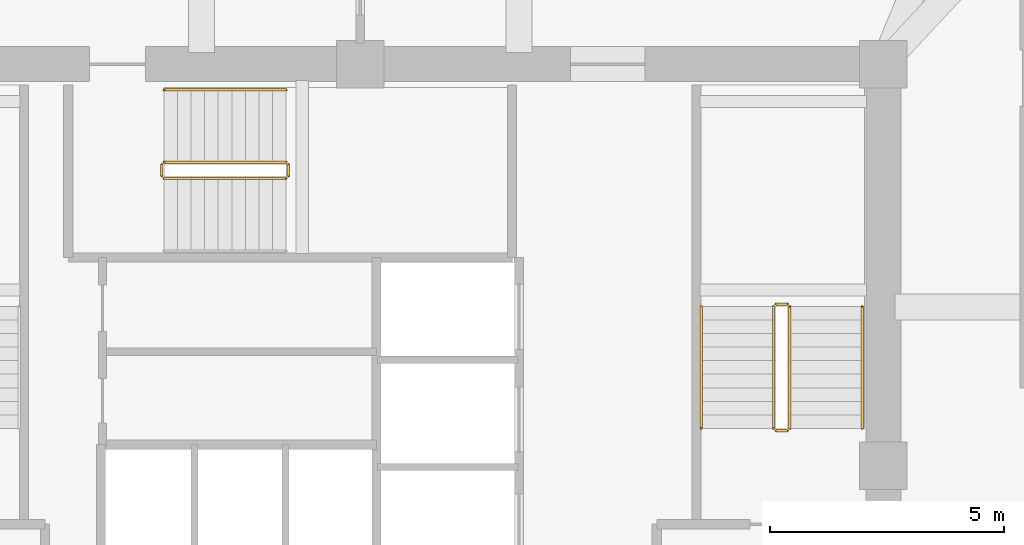
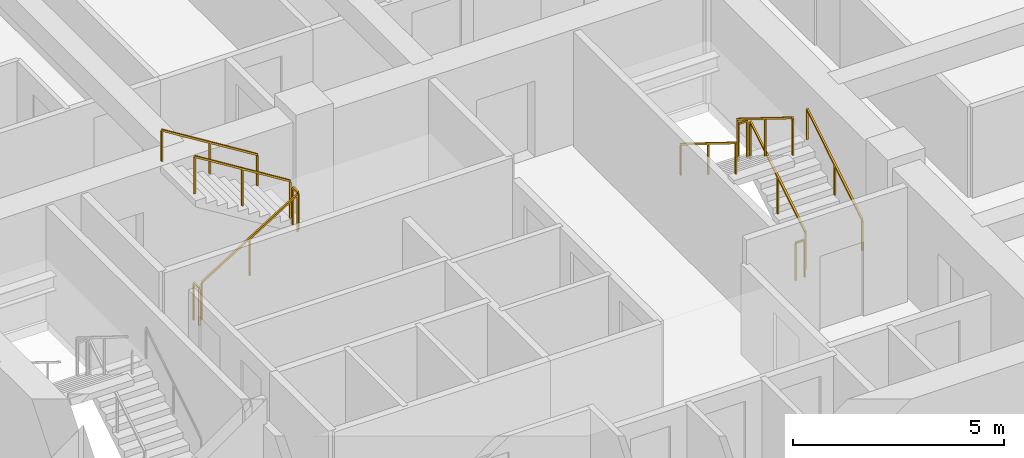
# One storey, part 12 of 12: 11 railings.
"""IFC4 building model written with IfcOpenShell, lengths in metres."""

from ifc_helpers import new_model, si_unit, derived_unit, direction, frame, origin, origin_2d, place, context, subcontext, project, spatial, rectangle, extrude, material, type_object, element, save


model = new_model("IFC4")

# Units and contexts
model_context = context("Model", 3, precision=1e-05, world=origin(), true_north=direction((0.0, 1.0)))
body_context = subcontext(model_context, "Body", "Model", "MODEL_VIEW")
ifc_project = project(units=[si_unit("LENGTHUNIT", "METRE"), si_unit("AREAUNIT", "SQUARE_METRE"), si_unit("VOLUMEUNIT", "CUBIC_METRE"), si_unit("PLANEANGLEUNIT", "RADIAN"), si_unit("MASSUNIT", "GRAM", prefix="KILO"), derived_unit("THERMALTRANSMITTANCEUNIT", [(si_unit("POWERUNIT", "WATT"), 1), (si_unit("LENGTHUNIT", "METRE"), -2), (si_unit("THERMODYNAMICTEMPERATUREUNIT", "KELVIN"), -1)])], contexts=[model_context])

# Site, building, storey
site_placement = place(None, origin())
site = spatial("IfcSite", under=ifc_project, at=site_placement, CompositionType="ELEMENT")
building_placement = place(site_placement, origin())
building = spatial("IfcBuilding", under=site, at=building_placement, Name="Koralith Skygarden Medical Center", CompositionType="ELEMENT")
storey_placement = place(building_placement, frame((0.0, 0.0, 134.820068359375)))
storey = spatial("IfcBuildingStorey", under=building, at=storey_placement, Name="L34", CompositionType="ELEMENT", Elevation=134.820068359375)

# Railings
ifc_material = material(Name="Steel ASTM A500 Grade C", Category="steel")
railing_type_1 = type_object("IfcRailingType", Name="Stair Flight Tubular Handrail 920", PredefinedType="HANDRAIL", material=ifc_material)
railing_1_placement = place(storey_placement, frame((47.75, 26.699951171875, 0.179931640625)))
element("IfcRailing", 1, at=railing_1_placement, inside=storey, type_object=railing_type_1, Name="L34 ST2 stair handrail 1", PredefinedType="HANDRAIL", context=body_context, shape_type="SweptSolid", body=[
    extrude(rectangle(XDim=0.050048828125, YDim=0.050048828125, at=origin_2d()), frame((0.0, 0.001708984375, 0.89599609375), z_axis=(0.0, 0.849632798774, 0.527374731332), x_axis=(-1.0, 0.0, 0.0)), (0.0, 0.0, 1.0), 3.068115234375),
    extrude(rectangle(XDim=0.0419921875, YDim=0.0419921875, at=origin_2d()), origin(), (0.0, 0.0, 1.0), 0.867919921875),
    extrude(rectangle(XDim=0.0419921875, YDim=0.0419921875, at=origin_2d()), frame((0.0, 1.30517578125, 0.81005859375)), (0.0, 0.0, 1.0), 0.867919921875),
    extrude(rectangle(XDim=0.0419921875, YDim=0.0419921875, at=origin_2d()), frame((0.0, 2.610107421875, 1.6201171875)), (0.0, 0.0, 1.0), 0.867919921875),
])
railing_2_placement = place(storey_placement, frame((44.300048828125, 29.31005859375, 1.97998046875)))
element("IfcRailing", 2, at=railing_2_placement, inside=storey, type_object=railing_type_1, Name="L34 ST2 stair handrail 2", PredefinedType="HANDRAIL", context=body_context, shape_type="SweptSolid", body=[
    extrude(rectangle(XDim=0.050048828125, YDim=0.050048828125, at=origin_2d()), frame((0.0, -0.001708984375, 0.89599609375), z_axis=(0.0, -0.849668407637, 0.527317358963), x_axis=(1.0, 0.0, 0.0)), (0.0, 0.0, 1.0), 3.06787109375),
    extrude(rectangle(XDim=0.0419921875, YDim=0.0419921875, at=origin_2d()), origin(), (0.0, 0.0, 1.0), 0.867919921875),
    extrude(rectangle(XDim=0.0419921875, YDim=0.0419921875, at=origin_2d()), frame((0.0, -1.30517578125, 0.81005859375)), (0.0, 0.0, 1.0), 0.867919921875),
    extrude(rectangle(XDim=0.0419921875, YDim=0.0419921875, at=origin_2d()), frame((0.0, -2.610107421875, 1.619873046875)), (0.0, 0.0, 1.0), 0.867919921875),
])
railing_3_placement = place(storey_placement, frame((35.409912109375, 33.949951171875, 1.97998046875)))
element("IfcRailing", 3, at=railing_3_placement, inside=storey, type_object=railing_type_1, Name="L34 ST3 stair handrail 2", PredefinedType="HANDRAIL", context=body_context, shape_type="SweptSolid", body=[
    extrude(rectangle(XDim=0.050048828125, YDim=0.050048828125, at=origin_2d()), frame((-0.001708984375, 0.0, 0.89599609375), z_axis=(-0.849646306263, 0.0, 0.527352969322), x_axis=(0.0, -1.0, 0.0)), (0.0, 0.0, 1.0), 3.067626953125),
    extrude(rectangle(XDim=0.0419921875, YDim=0.0419921875, at=origin_2d()), origin(), (0.0, 0.0, 1.0), 0.867919921875),
    extrude(rectangle(XDim=0.0419921875, YDim=0.0419921875, at=origin_2d()), frame((-1.304931640625, 0.0, 0.81005859375)), (0.0, 0.0, 1.0), 0.867919921875),
    extrude(rectangle(XDim=0.0419921875, YDim=0.0419921875, at=origin_2d()), frame((-2.60986328125, 0.0, 1.619873046875)), (0.0, 0.0, 1.0), 0.867919921875),
])
railing_type_2 = type_object("IfcRailingType", Name="Stair Well Safety Guardrail 1100", PredefinedType="GUARDRAIL", material=ifc_material)
railing_4_placement = place(storey_placement, frame((46.199951171875, 26.699951171875, 0.179931640625)))
element("IfcRailing", 4, at=railing_4_placement, inside=storey, type_object=railing_type_2, Name="L34 ST2 stair guard 1", PredefinedType="GUARDRAIL", context=body_context, shape_type="SweptSolid", body=[
    extrude(rectangle(XDim=0.050048828125, YDim=0.050048828125, at=origin_2d()), frame((0.0, 0.001708984375, 1.076171875), z_axis=(0.0, 0.849632798774, 0.527374731332), x_axis=(-1.0, 0.0, 0.0)), (0.0, 0.0, 1.0), 3.068115234375),
    extrude(rectangle(XDim=0.0419921875, YDim=0.0419921875, at=origin_2d()), origin(), (0.0, 0.0, 1.0), 1.048095703125),
    extrude(rectangle(XDim=0.0419921875, YDim=0.0419921875, at=origin_2d()), frame((0.0, 1.30517578125, 0.81005859375)), (0.0, 0.0, 1.0), 1.048095703125),
    extrude(rectangle(XDim=0.0419921875, YDim=0.0419921875, at=origin_2d()), frame((0.0, 2.610107421875, 1.6201171875)), (0.0, 0.0, 1.0), 1.048095703125),
])
railing_5_placement = place(storey_placement, frame((46.14990234375, 29.360107421875, 1.800048828125)))
element("IfcRailing", 5, at=railing_5_placement, inside=storey, type_object=railing_type_2, Name="L34 ST2 stair guard 2", PredefinedType="GUARDRAIL", context=body_context, shape_type="SweptSolid", body=[
    extrude(rectangle(XDim=0.050048828125, YDim=0.050048828125, at=origin_2d()), frame((-0.001953125, 0.0, 1.0751953125), z_axis=(-1.0, 0.0, 0.0), x_axis=(0.0, -1.0, 0.0)), (0.0, 0.0, 1.0), 0.24609375),
    extrude(rectangle(XDim=0.0419921875, YDim=0.0419921875, at=origin_2d()), origin(), (0.0, 0.0, 1.0), 1.048095703125),
    extrude(rectangle(XDim=0.0419921875, YDim=0.0419921875, at=origin_2d()), frame((-0.25, 0.0, 0.0)), (0.0, 0.0, 1.0), 1.048095703125),
])
railing_6_placement = place(storey_placement, frame((45.85009765625, 29.31005859375, 1.97998046875)))
element("IfcRailing", 6, at=railing_6_placement, inside=storey, type_object=railing_type_2, Name="L34 ST2 stair guard 3", PredefinedType="GUARDRAIL", context=body_context, shape_type="SweptSolid", body=[
    extrude(rectangle(XDim=0.050048828125, YDim=0.050048828125, at=origin_2d()), frame((0.0, -0.001708984375, 1.076171875), z_axis=(0.0, -0.849668407637, 0.527317358963), x_axis=(1.0, 0.0, 0.0)), (0.0, 0.0, 1.0), 3.06787109375),
    extrude(rectangle(XDim=0.0419921875, YDim=0.0419921875, at=origin_2d()), origin(), (0.0, 0.0, 1.0), 1.048095703125),
    extrude(rectangle(XDim=0.0419921875, YDim=0.0419921875, at=origin_2d()), frame((0.0, -1.30517578125, 0.81005859375)), (0.0, 0.0, 1.0), 1.048095703125),
    extrude(rectangle(XDim=0.0419921875, YDim=0.0419921875, at=origin_2d()), frame((0.0, -2.610107421875, 1.619873046875)), (0.0, 0.0, 1.0), 1.048095703125),
])
railing_7_placement = place(storey_placement, frame((46.14990234375, 26.64990234375, 0.0)))
element("IfcRailing", 7, at=railing_7_placement, inside=storey, type_object=railing_type_2, Name="L34 ST2 stair guard 4", PredefinedType="GUARDRAIL", context=body_context, shape_type="SweptSolid", body=[
    extrude(rectangle(XDim=0.050048828125, YDim=0.050048828125, at=origin_2d()), frame((-0.001953125, 0.0, 1.0751953125), z_axis=(-1.0, 0.0, 0.0), x_axis=(0.0, -1.0, 0.0)), (0.0, 0.0, 1.0), 0.24609375),
    extrude(rectangle(XDim=0.0419921875, YDim=0.0419921875, at=origin_2d()), origin(), (0.0, 0.0, 1.0), 1.048095703125),
    extrude(rectangle(XDim=0.0419921875, YDim=0.0419921875, at=origin_2d()), frame((-0.25, 0.0, 0.0)), (0.0, 0.0, 1.0), 1.048095703125),
])
railing_8_placement = place(storey_placement, frame((32.800048828125, 32.050048828125, 0.179931640625)))
element("IfcRailing", 8, at=railing_8_placement, inside=storey, type_object=railing_type_2, Name="L34 ST3 stair guard 1", PredefinedType="GUARDRAIL", context=body_context, shape_type="SweptSolid", body=[
    extrude(rectangle(XDim=0.050048828125, YDim=0.050048828125, at=origin_2d()), frame((0.001708984375, 0.0, 1.076171875), z_axis=(0.849610693518, 0.0, 0.52741034258), x_axis=(0.0, 1.0, 0.0)), (0.0, 0.0, 1.0), 3.06787109375),
    extrude(rectangle(XDim=0.0419921875, YDim=0.0419921875, at=origin_2d()), origin(), (0.0, 0.0, 1.0), 1.048095703125),
    extrude(rectangle(XDim=0.0419921875, YDim=0.0419921875, at=origin_2d()), frame((1.304931640625, 0.0, 0.81005859375)), (0.0, 0.0, 1.0), 1.048095703125),
    extrude(rectangle(XDim=0.0419921875, YDim=0.0419921875, at=origin_2d()), frame((2.60986328125, 0.0, 1.6201171875)), (0.0, 0.0, 1.0), 1.048095703125),
])
railing_9_placement = place(storey_placement, frame((35.4599609375, 32.10009765625, 1.800048828125)))
element("IfcRailing", 9, at=railing_9_placement, inside=storey, type_object=railing_type_2, Name="L34 ST3 stair guard 2", PredefinedType="GUARDRAIL", context=body_context, shape_type="SweptSolid", body=[
    extrude(rectangle(XDim=0.050048828125, YDim=0.050048828125, at=origin_2d()), frame((0.0, 0.001953125, 1.0751953125), z_axis=(0.0, 1.0, 0.0), x_axis=(-1.0, 0.0, 0.0)), (0.0, 0.0, 1.0), 0.24609375),
    extrude(rectangle(XDim=0.0419921875, YDim=0.0419921875, at=origin_2d()), origin(), (0.0, 0.0, 1.0), 1.048095703125),
    extrude(rectangle(XDim=0.0419921875, YDim=0.0419921875, at=origin_2d()), frame((0.0, 0.25, 0.0)), (0.0, 0.0, 1.0), 1.048095703125),
])
railing_10_placement = place(storey_placement, frame((35.409912109375, 32.39990234375, 1.97998046875)))
element("IfcRailing", 10, at=railing_10_placement, inside=storey, type_object=railing_type_2, Name="L34 ST3 stair guard 3", PredefinedType="GUARDRAIL", context=body_context, shape_type="SweptSolid", body=[
    extrude(rectangle(XDim=0.050048828125, YDim=0.050048828125, at=origin_2d()), frame((-0.001708984375, 0.0, 1.076171875), z_axis=(-0.849646306263, 0.0, 0.527352969322), x_axis=(0.0, -1.0, 0.0)), (0.0, 0.0, 1.0), 3.067626953125),
    extrude(rectangle(XDim=0.0419921875, YDim=0.0419921875, at=origin_2d()), origin(), (0.0, 0.0, 1.0), 1.048095703125),
    extrude(rectangle(XDim=0.0419921875, YDim=0.0419921875, at=origin_2d()), frame((-1.304931640625, 0.0, 0.81005859375)), (0.0, 0.0, 1.0), 1.048095703125),
    extrude(rectangle(XDim=0.0419921875, YDim=0.0419921875, at=origin_2d()), frame((-2.60986328125, 0.0, 1.619873046875)), (0.0, 0.0, 1.0), 1.048095703125),
])
railing_11_placement = place(storey_placement, frame((32.75, 32.10009765625, 0.0)))
element("IfcRailing", 11, at=railing_11_placement, inside=storey, type_object=railing_type_2, Name="L34 ST3 stair guard 4", PredefinedType="GUARDRAIL", context=body_context, shape_type="SweptSolid", body=[
    extrude(rectangle(XDim=0.050048828125, YDim=0.050048828125, at=origin_2d()), frame((0.0, 0.001953125, 1.0751953125), z_axis=(0.0, 1.0, 0.0), x_axis=(-1.0, 0.0, 0.0)), (0.0, 0.0, 1.0), 0.24609375),
    extrude(rectangle(XDim=0.0419921875, YDim=0.0419921875, at=origin_2d()), origin(), (0.0, 0.0, 1.0), 1.048095703125),
    extrude(rectangle(XDim=0.0419921875, YDim=0.0419921875, at=origin_2d()), frame((0.0, 0.25, 0.0)), (0.0, 0.0, 1.0), 1.048095703125),
])

save(model, "model.ifc")
